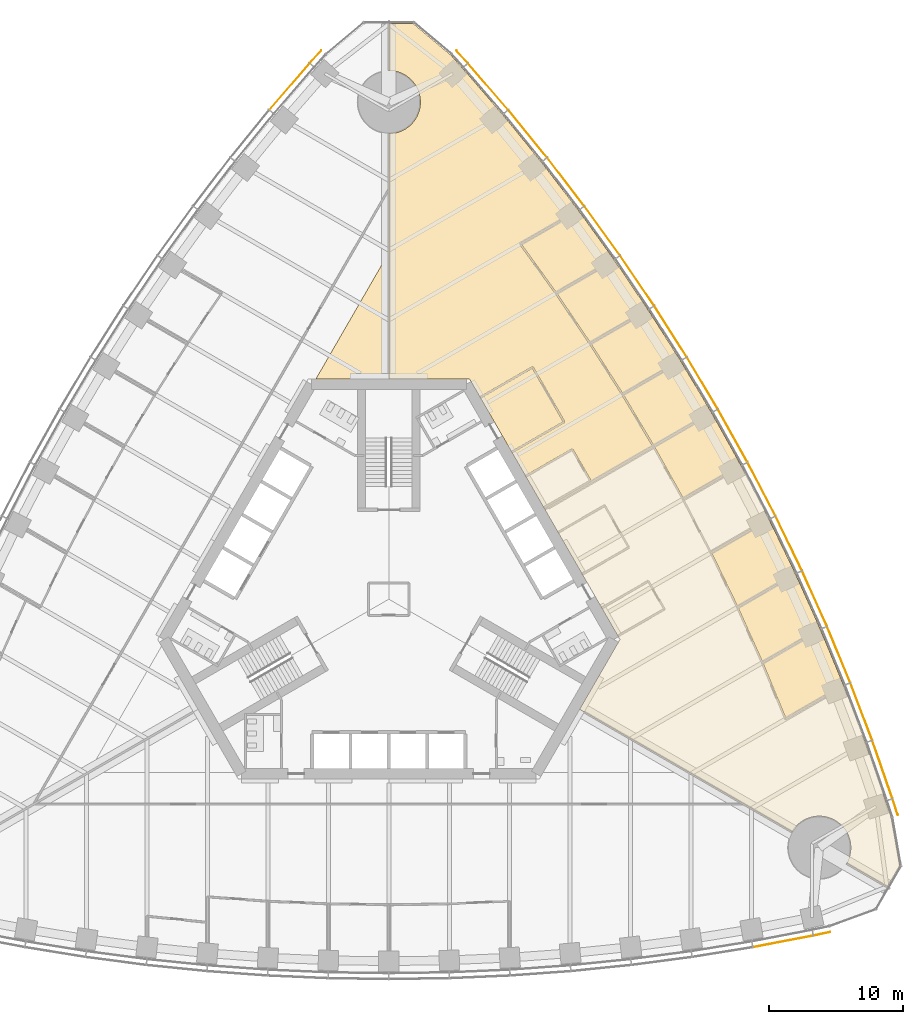
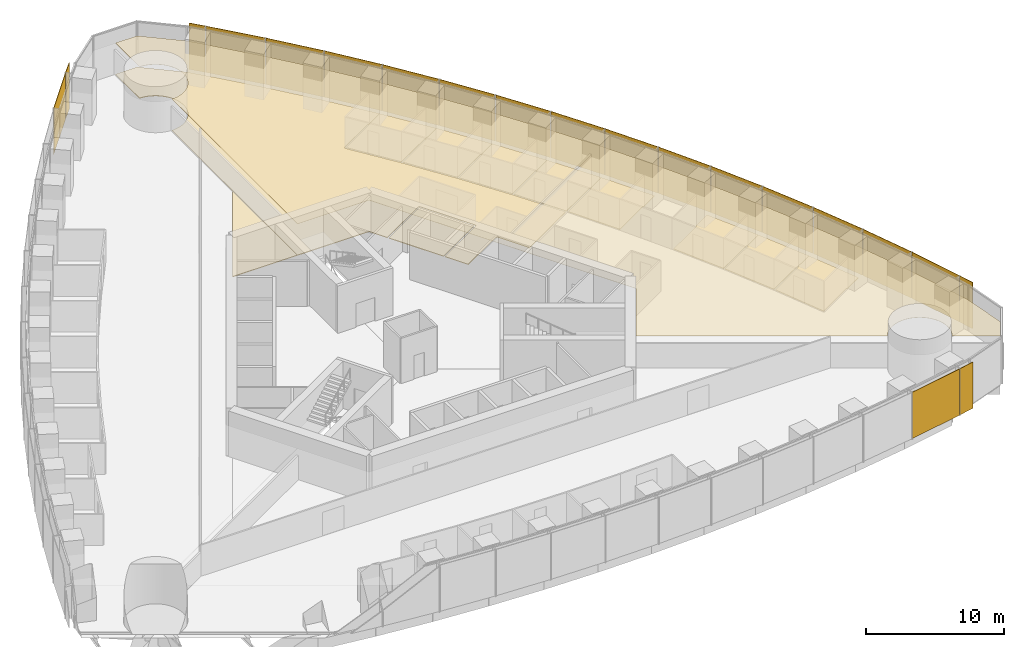
# One storey, part 16 of 18: 20 shading devices, 12 coverings.
"""IFC4 building model written with IfcOpenShell, lengths in metres."""

import ifcopenshell
import ifcopenshell.guid

model = None  # the IFC model being written
_history = None  # IfcOwnerHistory: only IFC2X3 demands one
_inside = {}  # id of a spatial element -> (the spatial element, [elements in it])
_under = {}  # id of a project, library or spatial element -> (it, [spatial elements below it])
_declared = {}  # id of a project -> (the project, [libraries it declares])
_typed = {}  # id of a type object -> (the type object, [elements of that type])
_made_of = {}  # id of a material, layer set ... -> (it, [elements and type objects made of it])


def new_model(schema):
    """Start an empty IFC model of exactly this schema.

    Asked for "IFC4X3", IfcOpenShell would pick the latest addendum, in which some entities
    have other attributes; the version numbers below select the first issue.
    IFC2X3 requires an IfcOwnerHistory on every rooted entity: one is made here for all.
    """
    global model, _history
    if schema == "IFC4X3":
        model = ifcopenshell.file(schema_version=(4, 3, 0, 0))
    else:
        model = ifcopenshell.file(schema=schema)
    _inside.clear()
    _under.clear()
    _declared.clear()
    _typed.clear()
    _made_of.clear()
    _history = None
    if model.schema == "IFC2X3":
        org = make("IfcOrganization", Name="unknown")
        user = make(
            "IfcPersonAndOrganization",
            ThePerson=make("IfcPerson", FamilyName="unknown"),
            TheOrganization=org,
        )
        app = make(
            "IfcApplication",
            ApplicationDeveloper=org,
            Version="unknown",
            ApplicationFullName="unknown",
            ApplicationIdentifier="unknown",
        )
        _history = make(
            "IfcOwnerHistory",
            OwningUser=user,
            OwningApplication=app,
            ChangeAction="ADDED",
            CreationDate=0,
        )
    return model


def make(cls, **values):
    """One entity of the class cls with the attributes given. An attribute that is None is left unset."""
    return model.create_entity(
        cls, **{name: value for name, value in values.items() if value is not None}
    )


def rooted(cls, **values):
    """An entity with a GlobalId (a new one), such as an element, a storey or a relation."""
    return make(cls, GlobalId=ifcopenshell.guid.new(), OwnerHistory=_history, **values)


def si_unit(unit_type, name, prefix=None):
    """IfcSIUnit, for example si_unit("LENGTHUNIT", "METRE", prefix="MILLI")."""
    return make("IfcSIUnit", UnitType=unit_type, Prefix=prefix, Name=name)


def assignment(units):
    """IfcUnitAssignment: the units of a project."""
    return None if units is None else make("IfcUnitAssignment", Units=units)


def point(xyz):
    """IfcCartesianPoint."""
    return None if xyz is None else make("IfcCartesianPoint", Coordinates=xyz)


def direction(xyz):
    """IfcDirection."""
    return None if xyz is None else make("IfcDirection", DirectionRatios=xyz)


def frame(location, z_axis=None, x_axis=None):
    """IfcAxis2Placement3D, a coordinate frame: its origin and axes. An axis left out is left unset."""
    return make(
        "IfcAxis2Placement3D",
        Location=point(location),
        Axis=direction(z_axis),
        RefDirection=direction(x_axis),
    )


def frame_2d(location, x_axis=None):
    """IfcAxis2Placement2D, a coordinate frame in the plane: its origin and x axis."""
    return make(
        "IfcAxis2Placement2D", Location=point(location), RefDirection=direction(x_axis)
    )


def origin():
    """The frame at (0, 0, 0) with its axes left unset."""
    return frame((0.0, 0.0, 0.0))


def origin_2d():
    """The frame at (0, 0) in the plane with its x axis left unset."""
    return frame_2d((0.0, 0.0))


def place(relative_to, where):
    """IfcLocalPlacement: puts the frame where relative to a parent placement (None: the world)."""
    return make(
        "IfcLocalPlacement", PlacementRelTo=relative_to, RelativePlacement=where
    )


def context(
    kind, dimensions, precision=None, world=None, true_north=None, identifier=None
):
    """IfcGeometricRepresentationContext, for example the 3D "Model" context."""
    return make(
        "IfcGeometricRepresentationContext",
        ContextIdentifier=identifier,
        ContextType=kind,
        CoordinateSpaceDimension=dimensions,
        Precision=precision,
        WorldCoordinateSystem=world,
        TrueNorth=true_north,
    )


def subcontext(parent, identifier, kind, view, scale=None):
    """IfcGeometricRepresentationSubContext, for example "Body" below "Model"."""
    return make(
        "IfcGeometricRepresentationSubContext",
        ContextIdentifier=identifier,
        ContextType=kind,
        ParentContext=parent,
        TargetScale=scale,
        TargetView=view,
    )


def project(units=None, contexts=None):
    """IfcProject with its units and contexts."""
    return rooted(
        "IfcProject",
        Name="project",
        RepresentationContexts=contexts,
        UnitsInContext=assignment(units),
    )


def spatial(cls, under=None, at=None, **own):
    """A site, building, storey or space (cls), placed at a placement, below another one or the project."""
    s = rooted(cls, ObjectPlacement=at, **own)
    if under is not None:
        _under.setdefault(under.id(), (under, []))[1].append(s)
    return s


def polyline(points):
    """IfcPolyline through the points."""
    return make("IfcPolyline", Points=[point(p) for p in points])


def profile(cls, at=None, kind="AREA", **sizes):
    """A parametric profile (cls). Its sizes go by their IFC names, for example OverallWidth=200.0."""
    return make(cls, ProfileType=kind, Position=at, **sizes)


def rectangle(**sizes):
    """IfcRectangleProfileDef."""
    return profile("IfcRectangleProfileDef", **sizes)


def outline(outer, holes=None, kind="AREA"):
    """IfcArbitraryClosedProfileDef: a profile drawn as a closed curve; with holes, ...WithVoids."""
    if holes is None:
        return make("IfcArbitraryClosedProfileDef", ProfileType=kind, OuterCurve=outer)
    return make(
        "IfcArbitraryProfileDefWithVoids",
        ProfileType=kind,
        OuterCurve=outer,
        InnerCurves=holes,
    )


def extrude(swept, where, along, depth):
    """IfcExtrudedAreaSolid: the profile swept, set in the frame where, extruded along a direction by depth."""
    return make(
        "IfcExtrudedAreaSolid",
        SweptArea=swept,
        Position=where,
        ExtrudedDirection=direction(along),
        Depth=depth,
    )


def shape(context_of_items, identifier, shape_type, items):
    """IfcShapeRepresentation: the items that make up one representation, for example the "Body"."""
    return make(
        "IfcShapeRepresentation",
        ContextOfItems=context_of_items,
        RepresentationIdentifier=identifier,
        RepresentationType=shape_type,
        Items=items,
    )


def material(Name=None, Category=None):
    """IfcMaterial."""
    return make("IfcMaterial", Name=Name, Category=Category)


def layer(
    of_material, thickness, ventilated=None, Name=None, Category=None, Priority=None
):
    """IfcMaterialLayer: one layer of a wall or slab, of a material (None: an air gap)."""
    return make(
        "IfcMaterialLayer",
        Material=of_material,
        LayerThickness=thickness,
        IsVentilated=ventilated,
        Name=Name,
        Category=Category,
        Priority=Priority,
    )


def layer_set(layers, Name=None):
    """IfcMaterialLayerSet."""
    return make("IfcMaterialLayerSet", MaterialLayers=layers, LayerSetName=Name)


def made_of(thing, what):
    """Note that an element or type object is made of a material, layer set ...; save() writes the relation."""
    if what is not None:
        _made_of.setdefault(what.id(), (what, []))[1].append(thing)
    return thing


def type_object(cls, material=None, **own):
    """A type object (cls), such as IfcWallType, which elements share."""
    return made_of(rooted(cls, **own), material)


def element(
    cls,
    number,
    at=None,
    inside=None,
    cuts=None,
    type_object=None,
    material=None,
    context=None,
    identifier="Body",
    shape_type=None,
    held_by="IfcProductDefinitionShape",
    body=None,
    shapes=None,
    **own,
):
    """One element of the class cls, such as IfcWall. Its Tag is "e" and its number.

    at: its placement. inside: the storey or other place that contains it. cuts: it is an
    opening in that element (IfcRelVoidsElement). A single representation is given by context,
    identifier, shape_type and body (its items); several are given by shapes. held_by: the class
    of the entity that holds the representations. save() writes the other relations.
    """
    e = rooted(cls, Tag="e%d" % number, ObjectPlacement=at, **own)
    if body is not None:
        shapes = [shape(context, identifier, shape_type, body)]
    if shapes is not None:
        e.Representation = make(held_by, Representations=shapes)
    if inside is not None:
        _inside.setdefault(inside.id(), (inside, []))[1].append(e)
    if cuts is not None:
        rooted(
            "IfcRelVoidsElement", RelatingBuildingElement=cuts, RelatedOpeningElement=e
        )
    if type_object is not None:
        _typed.setdefault(type_object.id(), (type_object, []))[1].append(e)
    return made_of(e, material)


def aggregate(whole, parts):
    """IfcRelAggregates: a whole, such as a stair, and the parts it consists of."""
    return rooted("IfcRelAggregates", RelatingObject=whole, RelatedObjects=parts)


def save(model, path):
    """Write the relations noted so far, then the file.

    IfcRelAggregates (storeys below a building ...), IfcRelContainedInSpatialStructure (elements
    in a storey), IfcRelDefinesByType, IfcRelAssociatesMaterial and IfcRelDeclares: one each for
    every whole, place, type object, material and project.
    """
    for whole, parts in _under.values():
        aggregate(whole, parts)
    for where, things in _inside.values():
        rooted(
            "IfcRelContainedInSpatialStructure",
            RelatedElements=things,
            RelatingStructure=where,
        )
    for kind, things in _typed.values():
        rooted("IfcRelDefinesByType", RelatedObjects=things, RelatingType=kind)
    for what, things in _made_of.values():
        rooted("IfcRelAssociatesMaterial", RelatedObjects=things, RelatingMaterial=what)
    for by, libraries in _declared.values():
        rooted("IfcRelDeclares", RelatingContext=by, RelatedDefinitions=libraries)
    model.write(path)


model = new_model("IFC4")

# Units and contexts
model_context = context("Model", 3, precision=1e-05, world=origin(), true_north=direction((0.0, 1.0)))
body_context = subcontext(model_context, "Body", "Model", "MODEL_VIEW")
ifc_project = project(units=[si_unit("LENGTHUNIT", "METRE"), si_unit("AREAUNIT", "SQUARE_METRE"), si_unit("VOLUMEUNIT", "CUBIC_METRE"), si_unit("PLANEANGLEUNIT", "RADIAN"), si_unit("MASSUNIT", "GRAM", prefix="KILO")], contexts=[model_context])

# Site, building, storey
site_placement = place(None, origin())
site = spatial("IfcSite", under=ifc_project, at=site_placement, CompositionType="ELEMENT")
building_placement = place(site_placement, origin())
building = spatial("IfcBuilding", under=site, at=building_placement, Name="Trefoil Bronze Tower", CompositionType="ELEMENT")
storey_placement = place(building_placement, frame((0.0, 0.0, 54.300048828125)))
storey = spatial("IfcBuildingStorey", under=building, at=storey_placement, Name="L12", CompositionType="ELEMENT", Elevation=54.300048828125)

# Shading devices
ifc_material_1 = material(Name="Perforated bronze sheet", Category="bronze")
ifc_layer_1 = layer(ifc_material_1, 0.0400390625)
ifc_layer_set_1 = layer_set([ifc_layer_1], Name="Bronze solar screen panel")
shading_device_type = type_object("IfcShadingDeviceType", Name="Bronze solar screen panel", PredefinedType="SHUTTER", material=ifc_layer_set_1)
shading_device_1_placement = place(storey_placement, frame((29.351806640625, -25.478515625, 0.0498046875), z_axis=(0.0, 0.0, 1.0), x_axis=(0.982049823817, 0.188621694249, 0.0)))
element("IfcShadingDevice", 1, at=shading_device_1_placement, inside=storey, type_object=shading_device_type, Name="Solar screen CW-A L12 F1 bay 15", PredefinedType="SHUTTER", context=body_context, shape_type="SweptSolid", body=[
    extrude(rectangle(XDim=4.55224609375, YDim=0.0400390625, at=origin_2d()), origin(), (0.0, 0.0, 1.0), 4.10009765625),
])
for number, where, z_axis, x_axis, name in (
    (2, (32.2431640625, -24.91064453125, 0.0498046875), (0.0, 0.0, 1.0), (0.978302717041, 0.207180582657, 0.0), "Solar screen CW-A L12 F1 bay 16"),
    (3, (37.69482421875, -15.468017578125, 0.0498046875), (0.0, 0.0, 1.0), (-0.309727710769, 0.950825296877, 0.0), "Solar screen CW-A L12 F2 bay 1"),
):
    element("IfcShadingDevice", number, at=place(storey_placement, frame(where, z_axis=z_axis, x_axis=x_axis)), inside=storey, type_object=shading_device_type, Name=name, PredefinedType="SHUTTER", context=body_context, shape_type="SweptSolid", body=[
        extrude(rectangle(XDim=1.260498046875, YDim=0.0400390625, at=origin_2d()), origin(), (0.0, 0.0, 1.0), 4.10009765625),
    ])
shading_device_2_placement = place(storey_placement, frame((36.740966796875, -12.68017578125, 0.0498046875), z_axis=(0.0, 0.0, 1.0), x_axis=(-0.327673732984, 0.944790942332, 0.0)))
element("IfcShadingDevice", 4, at=shading_device_2_placement, inside=storey, type_object=shading_device_type, Name="Solar screen CW-A L12 F2 bay 2", PredefinedType="SHUTTER", context=body_context, shape_type="SweptSolid", body=[
    extrude(rectangle(XDim=4.55224609375, YDim=0.0400390625, at=origin_2d()), origin(), (0.0, 0.0, 1.0), 4.10009765625),
])
shading_device_3_placement = place(storey_placement, frame((35.1748046875, -8.3701171875, 0.0498046875), z_axis=(0.0, 0.0, 1.0), x_axis=(-0.355370585687, 0.934725492767, 0.0)))
element("IfcShadingDevice", 5, at=shading_device_3_placement, inside=storey, type_object=shading_device_type, Name="Solar screen CW-A L12 F2 bay 3", PredefinedType="SHUTTER", context=body_context, shape_type="SweptSolid", body=[
    extrude(rectangle(XDim=4.5283203125, YDim=0.0400390625, at=origin_2d()), origin(), (0.0, 0.0, 1.0), 4.10009765625),
])
shading_device_4_placement = place(storey_placement, frame((33.49072265625, -4.128173828125, 0.0498046875), z_axis=(0.0, 0.0, 1.0), x_axis=(-0.382629580712, 0.923901836758, 0.0)))
element("IfcShadingDevice", 6, at=shading_device_4_placement, inside=storey, type_object=shading_device_type, Name="Solar screen CW-A L12 F2 bay 4", PredefinedType="SHUTTER", context=body_context, shape_type="SweptSolid", body=[
    extrude(rectangle(XDim=4.5087890625, YDim=0.0400390625, at=origin_2d()), origin(), (0.0, 0.0, 1.0), 4.10009765625),
])
shading_device_5_placement = place(storey_placement, frame((31.68994140625, 0.04638671875, 0.0498046875), z_axis=(0.0, 0.0, 1.0), x_axis=(-0.40945635808, 0.912329705111, 0.0)))
element("IfcShadingDevice", 7, at=shading_device_5_placement, inside=storey, type_object=shading_device_type, Name="Solar screen CW-A L12 F2 bay 5", PredefinedType="SHUTTER", context=body_context, shape_type="SweptSolid", body=[
    extrude(rectangle(XDim=4.493408203125, YDim=0.0400390625, at=origin_2d()), origin(), (0.0, 0.0, 1.0), 4.10009765625),
])
shading_device_6_placement = place(storey_placement, frame((29.77392578125, 4.154541015625, 0.0498046875), z_axis=(0.0, 0.0, 1.0), x_axis=(-0.4358553457, 0.900016731858, 0.0)))
element("IfcShadingDevice", 8, at=shading_device_6_placement, inside=storey, type_object=shading_device_type, Name="Solar screen CW-A L12 F2 bay 6", PredefinedType="SHUTTER", context=body_context, shape_type="SweptSolid", body=[
    extrude(rectangle(XDim=4.48193359375, YDim=0.0400390625, at=origin_2d()), origin(), (0.0, 0.0, 1.0), 4.10009765625),
])
shading_device_7_placement = place(storey_placement, frame((27.74365234375, 8.1962890625, 0.0498046875), z_axis=(0.0, 0.0, 1.0), x_axis=(-0.46182981834, 0.886968555752, 0.0)))
element("IfcShadingDevice", 9, at=shading_device_7_placement, inside=storey, type_object=shading_device_type, Name="Solar screen CW-A L12 F2 bay 7", PredefinedType="SHUTTER", context=body_context, shape_type="SweptSolid", body=[
    extrude(rectangle(XDim=4.474365234375, YDim=0.0400390625, at=origin_2d()), origin(), (0.0, 0.0, 1.0), 4.10009765625),
])
for number, where, z_axis, x_axis, name in (
    (10, (25.599365234375, 12.172607421875, 0.0498046875), (0.0, 0.0, 1.0), (-0.487381940453, 0.873188893722, 0.0), "Solar screen CW-A L12 F2 bay 8"),
    (11, (23.341552734375, 16.083251953125, 0.0498046875), (0.0, 0.0, 1.0), (-0.51251279404, 0.858679588639, 0.0), "Solar screen CW-A L12 F2 bay 9"),
):
    element("IfcShadingDevice", number, at=place(storey_placement, frame(where, z_axis=z_axis, x_axis=x_axis)), inside=storey, type_object=shading_device_type, Name=name, PredefinedType="SHUTTER", context=body_context, shape_type="SweptSolid", body=[
        extrude(rectangle(XDim=4.470458984375, YDim=0.0400390625, at=origin_2d()), origin(), (0.0, 0.0, 1.0), 4.10009765625),
    ])
shading_device_8_placement = place(storey_placement, frame((20.97021484375, 19.928466796875, 0.0498046875), z_axis=(0.0, 0.0, 1.0), x_axis=(-0.537222392469, 0.843440632783, 0.0)))
element("IfcShadingDevice", 12, at=shading_device_8_placement, inside=storey, type_object=shading_device_type, Name="Solar screen CW-A L12 F2 bay 10", PredefinedType="SHUTTER", context=body_context, shape_type="SweptSolid", body=[
    extrude(rectangle(XDim=4.474365234375, YDim=0.0400390625, at=origin_2d()), origin(), (0.0, 0.0, 1.0), 4.10009765625),
])
shading_device_9_placement = place(storey_placement, frame((18.48486328125, 23.707763671875, 0.0498046875), z_axis=(0.0, 0.0, 1.0), x_axis=(-0.56150968077, 0.827470167681, 0.0)))
element("IfcShadingDevice", 13, at=shading_device_9_placement, inside=storey, type_object=shading_device_type, Name="Solar screen CW-A L12 F2 bay 11", PredefinedType="SHUTTER", context=body_context, shape_type="SweptSolid", body=[
    extrude(rectangle(XDim=4.48193359375, YDim=0.0400390625, at=origin_2d()), origin(), (0.0, 0.0, 1.0), 4.10009765625),
])
shading_device_10_placement = place(storey_placement, frame((15.88525390625, 27.421142578125, 0.0498046875), z_axis=(0.0, 0.0, 1.0), x_axis=(-0.585372522213, 0.810764460394, 0.0)))
element("IfcShadingDevice", 14, at=shading_device_10_placement, inside=storey, type_object=shading_device_type, Name="Solar screen CW-A L12 F2 bay 12", PredefinedType="SHUTTER", context=body_context, shape_type="SweptSolid", body=[
    extrude(rectangle(XDim=4.493408203125, YDim=0.0400390625, at=origin_2d()), origin(), (0.0, 0.0, 1.0), 4.10009765625),
])
shading_device_11_placement = place(storey_placement, frame((13.170166015625, 31.06787109375, 0.0498046875), z_axis=(0.0, 0.0, 1.0), x_axis=(-0.608807670879, 0.793317855515, 0.0)))
element("IfcShadingDevice", 15, at=shading_device_11_placement, inside=storey, type_object=shading_device_type, Name="Solar screen CW-A L12 F2 bay 13", PredefinedType="SHUTTER", context=body_context, shape_type="SweptSolid", body=[
    extrude(rectangle(XDim=4.5087890625, YDim=0.0400390625, at=origin_2d()), origin(), (0.0, 0.0, 1.0), 4.10009765625),
])
shading_device_12_placement = place(storey_placement, frame((10.338623046875, 34.6474609375, 0.0498046875), z_axis=(0.0, 0.0, 1.0), x_axis=(-0.631810729457, 0.775122701346, 0.0)))
element("IfcShadingDevice", 16, at=shading_device_12_placement, inside=storey, type_object=shading_device_type, Name="Solar screen CW-A L12 F2 bay 14", PredefinedType="SHUTTER", context=body_context, shape_type="SweptSolid", body=[
    extrude(rectangle(XDim=4.5283203125, YDim=0.0400390625, at=origin_2d()), origin(), (0.0, 0.0, 1.0), 4.10009765625),
])
shading_device_13_placement = place(storey_placement, frame((7.38916015625, 38.15869140625, 0.0498046875), z_axis=(0.0, 0.0, 1.0), x_axis=(-0.654376090833, 0.756169248083, 0.0)))
element("IfcShadingDevice", 17, at=shading_device_13_placement, inside=storey, type_object=shading_device_type, Name="Solar screen CW-A L12 F2 bay 15", PredefinedType="SHUTTER", context=body_context, shape_type="SweptSolid", body=[
    extrude(rectangle(XDim=4.55224609375, YDim=0.0400390625, at=origin_2d()), origin(), (0.0, 0.0, 1.0), 4.10009765625),
])
for number, where, z_axis, x_axis, name in (
    (18, (5.45166015625, 40.378662109375, 0.0498046875), (0.0, 0.0, 1.0), (-0.668575006272, 0.743644714221, 0.0), "Solar screen CW-A L12 F2 bay 16"),
    (19, (-5.45166015625, 40.378662109375, 0.0498046875), (0.0, 0.0, 1.0), (-0.668575006272, -0.743644714221, 0.0), "Solar screen CW-A L12 F3 bay 1"),
):
    element("IfcShadingDevice", number, at=place(storey_placement, frame(where, z_axis=z_axis, x_axis=x_axis)), inside=storey, type_object=shading_device_type, Name=name, PredefinedType="SHUTTER", context=body_context, shape_type="SweptSolid", body=[
        extrude(rectangle(XDim=1.260498046875, YDim=0.0400390625, at=origin_2d()), origin(), (0.0, 0.0, 1.0), 4.10009765625),
    ])
shading_device_14_placement = place(storey_placement, frame((-7.38916015625, 38.15869140625, 0.0498046875), z_axis=(0.0, 0.0, 1.0), x_axis=(-0.654376090833, -0.756169248083, 0.0)))
element("IfcShadingDevice", 20, at=shading_device_14_placement, inside=storey, type_object=shading_device_type, Name="Solar screen CW-A L12 F3 bay 2", PredefinedType="SHUTTER", context=body_context, shape_type="SweptSolid", body=[
    extrude(rectangle(XDim=4.55224609375, YDim=0.0400390625, at=origin_2d()), origin(), (0.0, 0.0, 1.0), 4.10009765625),
])

# Coverings
ifc_material_2 = material(Name="Acoustic ceiling panels", Category="mineral fibre")
ifc_layer_2 = layer(ifc_material_2, 0.02001953125)
ifc_layer_set_2 = layer_set([ifc_layer_2], Name="Office ceiling 20")
covering_type_1 = type_object("IfcCoveringType", Name="Office ceiling 20", PredefinedType="CEILING", material=ifc_layer_set_2)
covering_1_placement = place(storey_placement, frame((0.0, 0.0, 2.89990234375)))
element("IfcCovering", 21, at=covering_1_placement, inside=storey, type_object=covering_type_1, Name="Ceiling L12 Open-plan office F2", PredefinedType="CEILING", context=body_context, shape_type="SweptSolid", body=[
    extrude(outline(polyline([(5.4814453125, 39.537841796875), (8.47998046875, 36.072998046875), (11.360107421875, 32.53955078125), (14.123291015625, 28.938720703125), (16.771240234375, 25.271484375), (19.3046875, 21.537841796875), (21.724609375, 17.73876953125), (24.031005859375, 13.87451171875), (26.224609375, 9.944580078125), (28.3046875, 5.949462890625), (30.271240234375, 1.888671875), (32.123291015625, -2.23828125), (33.860107421875, -6.431640625), (35.47998046875, -10.6923828125), (36.9814453125, -15.021728515625), (37.381103515625, -16.248779296875), (38.0146484375, -19.841552734375), (37.110595703125, -21.4072265625), (34.084716796875, -19.661865234375), (34.115478515625, -19.60791015625), (34.167236328125, -19.5048828125), (34.214111328125, -19.3994140625), (34.255615234375, -19.291748046875), (34.291748046875, -19.18212890625), (34.322509765625, -19.071044921875), (34.347900390625, -18.95849609375), (34.367431640625, -18.8447265625), (34.381591796875, -18.730224609375), (34.39013671875, -18.615234375), (34.392822265625, -18.5), (34.39013671875, -18.384765625), (34.381591796875, -18.269775390625), (34.367431640625, -18.1552734375), (34.347900390625, -18.04150390625), (34.322509765625, -17.928955078125), (34.291748046875, -17.81787109375), (34.255615234375, -17.708251953125), (34.214111328125, -17.6005859375), (34.167236328125, -17.4951171875), (34.115478515625, -17.39208984375), (34.05859375, -17.2919921875), (33.996826171875, -17.1943359375), (33.930419921875, -17.10009765625), (33.859619140625, -17.00927734375), (33.7841796875, -16.921875), (33.70458984375, -16.83837890625), (33.62109375, -16.7587890625), (33.53369140625, -16.683349609375), (33.44287109375, -16.612548828125), (33.348388671875, -16.5458984375), (33.251220703125, -16.484375), (33.150634765625, -16.427490234375), (33.047607421875, -16.37548828125), (32.942138671875, -16.328857421875), (32.834716796875, -16.287353515625), (32.72509765625, -16.251220703125), (32.614013671875, -16.220458984375), (32.50146484375, -16.1953125), (32.3876953125, -16.17529296875), (32.273193359375, -16.161376953125), (32.158203125, -16.15283203125), (32.04296875, -16.14990234375), (31.927490234375, -16.15283203125), (31.8125, -16.161376953125), (31.697998046875, -16.17529296875), (31.58447265625, -16.1953125), (31.471923828125, -16.220458984375), (31.36083984375, -16.251220703125), (31.251220703125, -16.287353515625), (31.1435546875, -16.328857421875), (31.0380859375, -16.37548828125), (30.935302734375, -16.427490234375), (30.834716796875, -16.484375), (30.7373046875, -16.5458984375), (30.64306640625, -16.612548828125), (30.552001953125, -16.683349609375), (30.46484375, -16.7587890625), (30.381103515625, -16.83837890625), (30.3017578125, -16.921875), (30.226318359375, -17.00927734375), (30.155517578125, -17.10009765625), (30.089111328125, -17.1943359375), (30.02734375, -17.2919921875), (30.0146484375, -17.31396484375), (14.205810546875, -8.194580078125), (17.205078125, -3.0), (6.00439453125, 16.39990234375), (0.006103515625, 16.39990234375), (0.012939453125, 34.650390625), (0.115234375, 34.65283203125), (0.230224609375, 34.661376953125), (0.3447265625, 34.67529296875), (0.45849609375, 34.6953125), (0.571044921875, 34.720458984375), (0.68212890625, 34.751220703125), (0.791748046875, 34.787353515625), (0.8994140625, 34.828857421875), (1.0048828125, 34.87548828125), (1.10791015625, 34.927490234375), (1.2080078125, 34.984375), (1.3056640625, 35.0458984375), (1.39990234375, 35.112548828125), (1.49072265625, 35.183349609375), (1.578125, 35.2587890625), (1.66162109375, 35.33837890625), (1.7412109375, 35.421875), (1.816650390625, 35.50927734375), (1.887451171875, 35.60009765625), (1.9541015625, 35.6943359375), (2.015625, 35.7919921875), (2.072509765625, 35.89208984375), (2.12451171875, 35.9951171875), (2.171142578125, 36.1005859375), (2.212646484375, 36.208251953125), (2.248779296875, 36.31787109375), (2.279541015625, 36.428955078125), (2.3046875, 36.54150390625), (2.32470703125, 36.6552734375), (2.338623046875, 36.769775390625), (2.34716796875, 36.884765625), (2.35009765625, 37.0), (2.34716796875, 37.115234375), (2.338623046875, 37.230224609375), (2.32470703125, 37.3447265625), (2.3046875, 37.45849609375), (2.279541015625, 37.571044921875), (2.248779296875, 37.68212890625), (2.212646484375, 37.791748046875), (2.171142578125, 37.8994140625), (2.12451171875, 38.0048828125), (2.072509765625, 38.10791015625), (2.015625, 38.2080078125), (1.9541015625, 38.3056640625), (1.887451171875, 38.39990234375), (1.816650390625, 38.49072265625), (1.7412109375, 38.578125), (1.66162109375, 38.66162109375), (1.578125, 38.7412109375), (1.49072265625, 38.816650390625), (1.39990234375, 38.887451171875), (1.3056640625, 38.9541015625), (1.2080078125, 39.015625), (1.10791015625, 39.072509765625), (1.0048828125, 39.12451171875), (0.8994140625, 39.171142578125), (0.791748046875, 39.212646484375), (0.68212890625, 39.248779296875), (0.571044921875, 39.279541015625), (0.45849609375, 39.3046875), (0.3447265625, 39.32470703125), (0.230224609375, 39.338623046875), (0.115234375, 39.34716796875), (0.014892578125, 39.349609375), (0.01611328125, 42.84228515625), (1.82421875, 42.84228515625), (4.618896484375, 40.497314453125), (5.4814453125, 39.537841796875)])), origin(), (0.0, 0.0, 1.0), 0.02001953125),
])
ifc_material_3 = material(Name="Raised access floor panels", Category="steel")
ifc_layer_3 = layer(ifc_material_3, 0.050048828125)
ifc_layer_set_3 = layer_set([ifc_layer_3], Name="Raised access floor 150")
covering_type_2 = type_object("IfcCoveringType", Name="Raised access floor 150", PredefinedType="FLOORING", material=ifc_layer_set_3)
covering_2_placement = place(storey_placement, frame((0.0, 0.0, 0.099853515625)))
element("IfcCovering", 22, at=covering_2_placement, inside=storey, type_object=covering_type_2, Name="Raised floor L12 Reception F2", PredefinedType="FLOORING", context=body_context, shape_type="SweptSolid", body=[
    extrude(outline(polyline([(6.834716796875, 14.9619140625), (10.679931640625, 17.181884765625), (12.969970703125, 13.215576171875), (9.124755859375, 10.99560546875), (6.834716796875, 14.9619140625)])), origin(), (0.0, 0.0, 1.0), 0.050048828125),
])
covering_3_placement = place(storey_placement, frame((0.0, 0.0, 0.099853515625)))
element("IfcCovering", 23, at=covering_3_placement, inside=storey, type_object=covering_type_2, Name="Raised floor L12 Office F2", PredefinedType="FLOORING", context=body_context, shape_type="SweptSolid", body=[
    extrude(outline(polyline([(16.771240234375, 25.271484375), (15.397705078125, 24.478515625), (15.367919921875, 24.5302734375), (12.4580078125, 22.850341796875), (9.880859375, 26.419921875), (12.77587890625, 28.091552734375), (12.745849609375, 28.143310546875), (14.123291015625, 28.938720703125), (16.771240234375, 25.271484375)])), origin(), (0.0, 0.0, 1.0), 0.050048828125),
])
covering_4_placement = place(storey_placement, frame((0.0, 0.0, 0.099853515625)))
element("IfcCovering", 24, at=covering_4_placement, inside=storey, type_object=covering_type_2, Name="Raised floor L12 Office F2", PredefinedType="FLOORING", context=body_context, shape_type="SweptSolid", body=[
    extrude(outline(polyline([(16.771240234375, 25.271484375), (19.3046875, 21.537841796875), (17.93408203125, 20.74658203125), (17.904052734375, 20.798583984375), (14.992919921875, 19.117919921875), (12.527099609375, 22.751708984375), (15.427734375, 24.426513671875), (15.397705078125, 24.478515625), (16.771240234375, 25.271484375)])), origin(), (0.0, 0.0, 1.0), 0.050048828125),
])
covering_5_placement = place(storey_placement, frame((0.0, 0.0, 0.099853515625)))
element("IfcCovering", 25, at=covering_5_placement, inside=storey, type_object=covering_type_2, Name="Raised floor L12 Office F2", PredefinedType="FLOORING", context=body_context, shape_type="SweptSolid", body=[
    extrude(outline(polyline([(21.724609375, 17.73876953125), (20.355712890625, 16.948486328125), (20.32568359375, 17.00048828125), (17.414306640625, 15.319580078125), (15.058837890625, 19.017333984375), (17.964111328125, 20.694580078125), (17.93408203125, 20.74658203125), (19.3046875, 21.537841796875), (21.724609375, 17.73876953125)])), origin(), (0.0, 0.0, 1.0), 0.050048828125),
])
covering_6_placement = place(storey_placement, frame((0.0, 0.0, 0.099853515625)))
element("IfcCovering", 26, at=covering_6_placement, inside=storey, type_object=covering_type_2, Name="Raised floor L12 Office F2", PredefinedType="FLOORING", context=body_context, shape_type="SweptSolid", body=[
    extrude(outline(polyline([(21.724609375, 17.73876953125), (24.031005859375, 13.87451171875), (22.662841796875, 13.08447265625), (22.625244140625, 13.1494140625), (19.714599609375, 11.46875), (17.47705078125, 15.21728515625), (20.385498046875, 16.896484375), (20.355712890625, 16.948486328125), (21.724609375, 17.73876953125)])), origin(), (0.0, 0.0, 1.0), 0.050048828125),
])
covering_7_placement = place(storey_placement, frame((0.0, 0.0, 0.099853515625)))
element("IfcCovering", 27, at=covering_7_placement, inside=storey, type_object=covering_type_2, Name="Raised floor L12 Office F2", PredefinedType="FLOORING", context=body_context, shape_type="SweptSolid", body=[
    extrude(outline(polyline([(24.031005859375, 13.87451171875), (26.224609375, 9.944580078125), (24.855712890625, 9.154296875), (24.82568359375, 9.206298828125), (21.9169921875, 7.527099609375), (19.78955078125, 11.3388671875), (22.7001953125, 13.019287109375), (22.662841796875, 13.08447265625), (24.031005859375, 13.87451171875)])), origin(), (0.0, 0.0, 1.0), 0.050048828125),
])
covering_8_placement = place(storey_placement, frame((0.0, 0.0, 0.099853515625)))
element("IfcCovering", 28, at=covering_8_placement, inside=storey, type_object=covering_type_2, Name="Raised floor L12 Office F2", PredefinedType="FLOORING", context=body_context, shape_type="SweptSolid", body=[
    extrude(outline(polyline([(28.3046875, 5.949462890625), (30.271240234375, 1.888671875), (28.897705078125, 1.095703125), (28.867919921875, 1.147705078125), (25.967041015625, -0.527099609375), (24.052978515625, 3.42529296875), (26.964111328125, 5.106201171875), (26.93408203125, 5.158203125), (28.3046875, 5.949462890625)])), origin(), (0.0, 0.0, 1.0), 0.050048828125),
])
covering_9_placement = place(storey_placement, frame((0.0, 0.0, 0.099853515625)))
element("IfcCovering", 29, at=covering_9_placement, inside=storey, type_object=covering_type_2, Name="Raised floor L12 Office F2", PredefinedType="FLOORING", context=body_context, shape_type="SweptSolid", body=[
    extrude(outline(polyline([(32.123291015625, -2.23828125), (30.745849609375, -3.033447265625), (30.7158203125, -2.9814453125), (27.82080078125, -4.653076171875), (26.01806640625, -0.63623046875), (28.927734375, 1.043701171875), (28.897705078125, 1.095703125), (30.271240234375, 1.888671875), (32.123291015625, -2.23828125)])), origin(), (0.0, 0.0, 1.0), 0.050048828125),
])
covering_10_placement = place(storey_placement, frame((0.0, 0.0, 0.099853515625)))
element("IfcCovering", 30, at=covering_10_placement, inside=storey, type_object=covering_type_2, Name="Raised floor L12 Meeting room F2", PredefinedType="FLOORING", context=body_context, shape_type="SweptSolid", body=[
    extrude(outline(polyline([(32.123291015625, -2.23828125), (33.860107421875, -6.431640625), (32.477294921875, -7.22998046875), (32.447265625, -7.177978515625), (29.55908203125, -8.845458984375), (27.868896484375, -4.763916015625), (30.77587890625, -3.08544921875), (30.745849609375, -3.033447265625), (32.123291015625, -2.23828125)])), origin(), (0.0, 0.0, 1.0), 0.050048828125),
])
covering_11_placement = place(storey_placement, frame((0.0, 0.0, 0.099853515625)))
element("IfcCovering", 31, at=covering_11_placement, inside=storey, type_object=covering_type_2, Name="Raised floor L12 Open-plan office F2", PredefinedType="FLOORING", context=body_context, shape_type="SweptSolid", body=[
    extrude(outline(polyline([(4.618896484375, 40.497314453125), (5.4814453125, 39.537841796875), (8.47998046875, 36.072998046875), (11.360107421875, 32.53955078125), (14.123291015625, 28.938720703125), (12.745849609375, 28.143310546875), (12.7158203125, 28.1953125), (9.76318359375, 26.49072265625), (9.793212890625, 26.438720703125), (9.74462890625, 26.403564453125), (12.39208984375, 22.73681640625), (14.924560546875, 19.0048828125), (17.34326171875, 15.207275390625), (19.610595703125, 11.40869140625), (15.03125, 8.764892578125), (15.00634765625, 8.808349609375), (15.058349609375, 8.83837890625), (13.708251953125, 11.176513671875), (13.65625, 11.146484375), (13.626220703125, 11.198486328125), (10.162109375, 9.198486328125), (9.184814453125, 10.8916015625), (13.081787109375, 13.1416015625), (13.052001953125, 13.193603515625), (13.103759765625, 13.223388671875), (10.75390625, 17.293701171875), (10.701904296875, 17.263916015625), (10.671875, 17.31591796875), (6.774658203125, 15.06591796875), (6.00439453125, 16.39990234375), (0.006103515625, 16.39990234375), (0.012939453125, 34.650390625), (0.115234375, 34.65283203125), (0.230224609375, 34.661376953125), (0.3447265625, 34.67529296875), (0.45849609375, 34.6953125), (0.571044921875, 34.720458984375), (0.68212890625, 34.751220703125), (0.791748046875, 34.787353515625), (0.8994140625, 34.828857421875), (1.0048828125, 34.87548828125), (1.10791015625, 34.927490234375), (1.2080078125, 34.984375), (1.3056640625, 35.0458984375), (1.39990234375, 35.112548828125), (1.49072265625, 35.183349609375), (1.578125, 35.2587890625), (1.66162109375, 35.33837890625), (1.7412109375, 35.421875), (1.816650390625, 35.50927734375), (1.887451171875, 35.60009765625), (1.9541015625, 35.6943359375), (2.015625, 35.7919921875), (2.072509765625, 35.89208984375), (2.12451171875, 35.9951171875), (2.171142578125, 36.1005859375), (2.212646484375, 36.208251953125), (2.248779296875, 36.31787109375), (2.279541015625, 36.428955078125), (2.3046875, 36.54150390625), (2.32470703125, 36.6552734375), (2.338623046875, 36.769775390625), (2.34716796875, 36.884765625), (2.35009765625, 37.0), (2.34716796875, 37.115234375), (2.338623046875, 37.230224609375), (2.32470703125, 37.3447265625), (2.3046875, 37.45849609375), (2.279541015625, 37.571044921875), (2.248779296875, 37.68212890625), (2.212646484375, 37.791748046875), (2.171142578125, 37.8994140625), (2.12451171875, 38.0048828125), (2.072509765625, 38.10791015625), (2.015625, 38.2080078125), (1.9541015625, 38.3056640625), (1.887451171875, 38.39990234375), (1.816650390625, 38.49072265625), (1.7412109375, 38.578125), (1.66162109375, 38.66162109375), (1.578125, 38.7412109375), (1.49072265625, 38.816650390625), (1.39990234375, 38.887451171875), (1.3056640625, 38.9541015625), (1.2080078125, 39.015625), (1.10791015625, 39.072509765625), (1.0048828125, 39.12451171875), (0.8994140625, 39.171142578125), (0.791748046875, 39.212646484375), (0.68212890625, 39.248779296875), (0.571044921875, 39.279541015625), (0.45849609375, 39.3046875), (0.3447265625, 39.32470703125), (0.230224609375, 39.338623046875), (0.115234375, 39.34716796875), (0.014892578125, 39.349609375), (0.01611328125, 42.84228515625), (1.82421875, 42.84228515625), (4.618896484375, 40.497314453125)])), origin(), (0.0, 0.0, 1.0), 0.050048828125),
])
covering_12_placement = place(storey_placement, frame((0.0, 0.0, 0.099853515625)))
element("IfcCovering", 32, at=covering_12_placement, inside=storey, type_object=covering_type_2, Name="Raised floor L12 Open-plan office F3", PredefinedType="FLOORING", context=body_context, shape_type="SweptSolid", body=[
    extrude(outline(polyline([(-0.006103515625, 16.39990234375), (-5.427001953125, 16.39990234375), (-0.009765625, 25.783203125), (-0.006103515625, 16.39990234375)])), origin(), (0.0, 0.0, 1.0), 0.050048828125),
])

save(model, "model.ifc")
